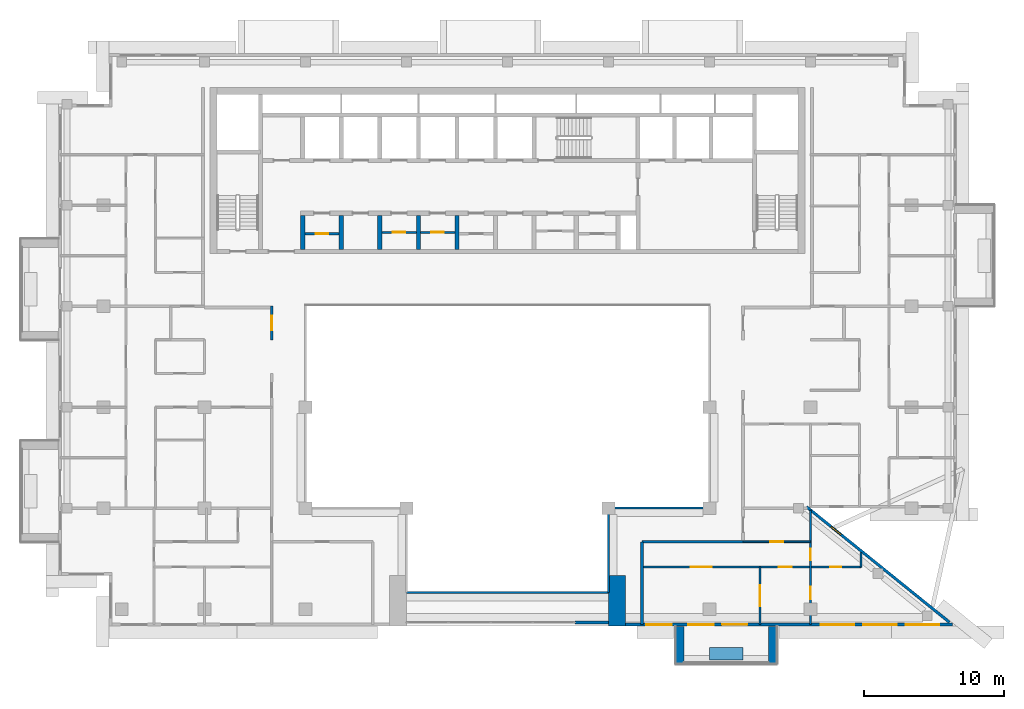
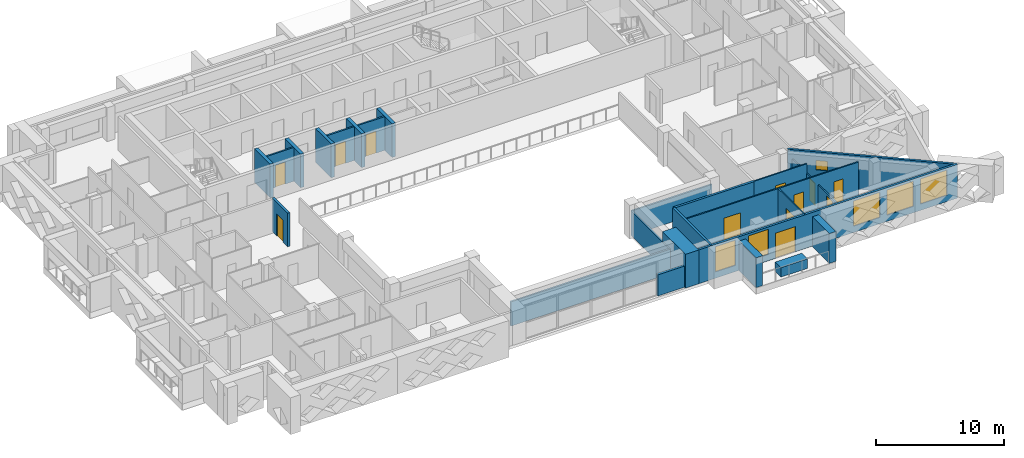
# One storey, part 8 of 19: 26 walls, 12 doors, 6 windows, 18 openings.
"""IFC4 building model written with IfcOpenShell, lengths in metres."""

from ifc_helpers import new_model, si_unit, direction, frame, frame_2d, origin, place, context, subcontext, project, spatial, rectangle, extrude, material, layer, layer_set, type_object, element, fill, save


model = new_model("IFC4")

# Units and contexts
model_context = context("Model", 3, precision=1e-05, world=origin(), true_north=direction((0.0, 1.0)))
body_context = subcontext(model_context, "Body", "Model", "MODEL_VIEW")
ifc_project = project(units=[si_unit("LENGTHUNIT", "METRE"), si_unit("AREAUNIT", "SQUARE_METRE"), si_unit("VOLUMEUNIT", "CUBIC_METRE"), si_unit("PLANEANGLEUNIT", "RADIAN"), si_unit("MASSUNIT", "GRAM", prefix="KILO")], contexts=[model_context])

# Site, building, storey
site_placement = place(None, origin())
site = spatial("IfcSite", under=ifc_project, at=site_placement, CompositionType="ELEMENT")
building_placement = place(site_placement, origin())
building = spatial("IfcBuilding", under=site, at=building_placement, Name="Saffron Iwan Residences", CompositionType="ELEMENT")
storey_placement = place(building_placement, frame((0.0, 0.0, 229.0)))
storey = spatial("IfcBuildingStorey", under=building, at=storey_placement, Name="L61", CompositionType="ELEMENT", Elevation=229.0)

# Walls
ifc_material_1 = material(Name="Fire-rated glazing", Category="glass")
ifc_layer_1 = layer(ifc_material_1, 0.14990234375)
ifc_layer_set_1 = layer_set([ifc_layer_1], Name="Fire-rated glazing")
wall_type_1 = type_object("IfcWallType", Name="Atrium glazed screen 150", PredefinedType="SOLIDWALL", material=ifc_layer_set_1)
wall_1_placement = place(storey_placement, frame((43.199951171875, 42.0, 0.0), z_axis=(0.0, 0.0, 1.0), x_axis=(1.0, 0.0, 0.0)))
element("IfcWall", 1, at=wall_1_placement, inside=storey, type_object=wall_type_1, Name="W-L61-SCREEN-h42-43.2", PredefinedType="SOLIDWALL", context=body_context, shape_type="SweptSolid", body=[
    extrude(rectangle(XDim=14.400146484375, YDim=0.14990234375, at=frame_2d((7.2001953125, 0.0))), origin(), (0.0, 0.0, 1.0), 2.320068359375),
])
wall_2_placement = place(storey_placement, frame((57.60009765625, 48.0, 0.0), z_axis=(0.0, 0.0, 1.0), x_axis=(1.0, 0.0, 0.0)))
element("IfcWall", 2, at=wall_2_placement, inside=storey, type_object=wall_type_1, Name="W-L61-SCREEN-h48-57.6", PredefinedType="SOLIDWALL", context=body_context, shape_type="SweptSolid", body=[
    extrude(rectangle(XDim=7.199951171875, YDim=0.14990234375, at=frame_2d((3.60009765625, 0.0))), origin(), (0.0, 0.0, 1.0), 2.320068359375),
])
wall_3_placement = place(storey_placement, frame((57.60009765625, 42.0, 0.0), z_axis=(0.0, 0.0, 1.0), x_axis=(0.0, 1.0, 0.0)))
element("IfcWall", 3, at=wall_3_placement, inside=storey, type_object=wall_type_1, Name="W-L61-SCREEN-v57.6-42", PredefinedType="SOLIDWALL", context=body_context, shape_type="SweptSolid", body=[
    extrude(rectangle(XDim=6.0, YDim=0.14990234375, at=frame_2d((3.0, 0.0))), origin(), (0.0, 0.0, 1.0), 2.320068359375),
])
ifc_material_2 = material(Name="Concrete C50/60 white painted", Category="concrete")
ifc_layer_2 = layer(ifc_material_2, 0.60009765625)
ifc_layer_set_2 = layer_set([ifc_layer_2], Name="Concrete C50/60 white painted")
wall_type_2 = type_object("IfcWallType", Name="BALCONY FIN 600", PredefinedType="SOLIDWALL", material=ifc_layer_set_2)
for number, where, z_axis, x_axis, name in (
    (4, (62.699951171875, 39.550048828125, 0.0), (0.0, 0.0, 1.0), (0.0, -1.0, 0.0), "Balcony fin L61 11-1a"),
    (5, (69.300048828125, 39.550048828125, 0.0), (0.0, 0.0, 1.0), (0.0, -1.0, 0.0), "Balcony fin L61 11-1b"),
):
    element("IfcWall", number, at=place(storey_placement, frame(where, z_axis=z_axis, x_axis=x_axis)), inside=storey, type_object=wall_type_2, Name=name, PredefinedType="SOLIDWALL", context=body_context, shape_type="SweptSolid", body=[
        extrude(rectangle(XDim=2.650146484375, YDim=0.60009765625, at=frame_2d((1.3251953125, 0.0))), origin(), (0.0, 0.0, 1.0), 2.85009765625),
    ])
ifc_material_3 = material(Name="Concrete C35/45 white painted", Category="concrete")
ifc_layer_3 = layer(ifc_material_3, 0.14990234375)
ifc_layer_set_3 = layer_set([ifc_layer_3], Name="Concrete C35/45 white painted")
wall_type_3 = type_object("IfcWallType", Name="BALCONY PLANTER", PredefinedType="SOLIDWALL", material=ifc_layer_set_3)
wall_4_placement = place(storey_placement, frame((64.800048828125, 37.625, 0.0), z_axis=(0.0, 0.0, 1.0), x_axis=(1.0, 0.0, 0.0)))
element("IfcWall", 6, at=wall_4_placement, inside=storey, type_object=wall_type_3, Name="PLANTER L61 11-1", PredefinedType="SOLIDWALL", context=body_context, shape_type="SweptSolid", body=[
    extrude(rectangle(XDim=2.39990234375, YDim=0.89990234375, at=frame_2d((1.199951171875, 0.0))), origin(), (0.0, 0.0, 1.0), 0.89990234375),
])

# Wall, opening, door
ifc_material_4 = material(Name="Fire-rated plasterboard partition")
ifc_layer_4 = layer(ifc_material_4, 0.14990234375)
ifc_layer_set_4 = layer_set([ifc_layer_4], Name="Fire-rated plasterboard partition")
wall_type_4 = type_object("IfcWallType", Name="Core partition 150", PredefinedType="PARTITIONING", material=ifc_layer_set_4)
wall_5_placement = place(storey_placement, frame((35.949951171875, 67.5654296875, 0.0), z_axis=(0.0, 0.0, 1.0), x_axis=(1.0, 0.0, 0.0)))
wall_5 = element("IfcWall", 7, at=wall_5_placement, inside=storey, type_object=wall_type_4, Name="Core partition P01", PredefinedType="PARTITIONING", context=body_context, shape_type="SweptSolid", body=[
    extrude(rectangle(XDim=2.449951171875, YDim=0.14990234375, at=frame_2d((1.22509765625, 0.0))), origin(), (0.0, 0.0, 1.0), 3.219970703125),
])
opening_1_placement = place(wall_5_placement, frame((0.77490234375, 0.0, 0.0)))
opening_1 = element("IfcOpeningElement", 8, at=opening_1_placement, cuts=wall_5, Name="Opening SB", PredefinedType="OPENING", context=body_context, shape_type="SweptSolid", body=[
    extrude(rectangle(XDim=0.89990234375, YDim=2.10009765625, at=frame_2d((0.449951171875, 1.050048828125))), frame((0.0, 0.0849609375, 0.0), z_axis=(0.0, -1.0, 0.0), x_axis=(1.0, 0.0, 0.0)), (0.0, 0.0, 1.0), 0.169921875),
])
ifc_material_5 = material(Name="Steel fire door", Category="steel")
door_type_1 = type_object("IfcDoorType", Name="Store door 900", OperationType="NOTDEFINED", PredefinedType="DOOR", material=ifc_material_5)
door_1_placement = place(opening_1_placement, origin())
door_1 = element("IfcDoor", 9, at=door_1_placement, inside=storey, type_object=door_type_1, Name="Door Records store", OperationType="SINGLE_SWING_RIGHT", OverallHeight=2.10009765625, OverallWidth=0.89990234375, PredefinedType="DOOR", context=body_context, shape_type="SweptSolid", body=[
    extrude(rectangle(XDim=0.89990234375, YDim=2.10009765625, at=frame_2d((0.449951171875, 1.050048828125))), frame((0.0, 0.02490234375, 0.0), z_axis=(0.0, -1.0, 0.0), x_axis=(1.0, 0.0, 0.0)), (0.0, 0.0, 1.0), 0.050048828125),
])
fill(opening_1, door_1)

wall_6_placement = place(storey_placement, frame((41.449951171875, 67.66259765625, 0.0), z_axis=(0.0, 0.0, 1.0), x_axis=(1.0, 0.0, 0.0)))
wall_6 = element("IfcWall", 10, at=wall_6_placement, inside=storey, type_object=wall_type_4, Name="Core partition P02", PredefinedType="PARTITIONING", context=body_context, shape_type="SweptSolid", body=[
    extrude(rectangle(XDim=2.449951171875, YDim=0.14990234375, at=frame_2d((1.22509765625, 0.0))), origin(), (0.0, 0.0, 1.0), 3.219970703125),
])
opening_2_placement = place(wall_6_placement, frame((0.77490234375, 0.0, 0.0)))
opening_2 = element("IfcOpeningElement", 11, at=opening_2_placement, cuts=wall_6, Name="Opening SB", PredefinedType="OPENING", context=body_context, shape_type="SweptSolid", body=[
    extrude(rectangle(XDim=0.89990234375, YDim=2.10009765625, at=frame_2d((0.449951171875, 1.050048828125))), frame((0.0, 0.0849609375, 0.0), z_axis=(0.0, -1.0, 0.0), x_axis=(1.0, 0.0, 0.0)), (0.0, 0.0, 1.0), 0.169921875),
])
door_2_placement = place(opening_2_placement, origin())
door_2 = element("IfcDoor", 12, at=door_2_placement, inside=storey, type_object=door_type_1, Name="Door Tool store", OperationType="SINGLE_SWING_RIGHT", OverallHeight=2.10009765625, OverallWidth=0.89990234375, PredefinedType="DOOR", context=body_context, shape_type="SweptSolid", body=[
    extrude(rectangle(XDim=0.89990234375, YDim=2.10009765625, at=frame_2d((0.449951171875, 1.050048828125))), frame((0.0, 0.02490234375, 0.0), z_axis=(0.0, -1.0, 0.0), x_axis=(1.0, 0.0, 0.0)), (0.0, 0.0, 1.0), 0.050048828125),
])
fill(opening_2, door_2)

wall_7_placement = place(storey_placement, frame((44.199951171875, 67.66259765625, 0.0), z_axis=(0.0, 0.0, 1.0), x_axis=(1.0, 0.0, 0.0)))
wall_7 = element("IfcWall", 13, at=wall_7_placement, inside=storey, type_object=wall_type_4, Name="Core partition P03", PredefinedType="PARTITIONING", context=body_context, shape_type="SweptSolid", body=[
    extrude(rectangle(XDim=2.449951171875, YDim=0.14990234375, at=frame_2d((1.22509765625, 0.0))), origin(), (0.0, 0.0, 1.0), 3.219970703125),
])
opening_3_placement = place(wall_7_placement, frame((0.77490234375, 0.0, 0.0)))
opening_3 = element("IfcOpeningElement", 14, at=opening_3_placement, cuts=wall_7, Name="Opening SB", PredefinedType="OPENING", context=body_context, shape_type="SweptSolid", body=[
    extrude(rectangle(XDim=0.89990234375, YDim=2.10009765625, at=frame_2d((0.449951171875, 1.050048828125))), frame((0.0, 0.0849609375, 0.0), z_axis=(0.0, -1.0, 0.0), x_axis=(1.0, 0.0, 0.0)), (0.0, 0.0, 1.0), 0.169921875),
])
door_3_placement = place(opening_3_placement, origin())
door_3 = element("IfcDoor", 15, at=door_3_placement, inside=storey, type_object=door_type_1, Name="Door Cabling room", OperationType="SINGLE_SWING_LEFT", OverallHeight=2.10009765625, OverallWidth=0.89990234375, PredefinedType="DOOR", context=body_context, shape_type="SweptSolid", body=[
    extrude(rectangle(XDim=0.89990234375, YDim=2.10009765625, at=frame_2d((0.449951171875, 1.050048828125))), frame((0.0, 0.02490234375, 0.0), z_axis=(0.0, -1.0, 0.0), x_axis=(1.0, 0.0, 0.0)), (0.0, 0.0, 1.0), 0.050048828125),
])
fill(opening_3, door_3)

# Wall, opening, window
ifc_material_6 = material(Name="Concrete C40/50", Category="concrete")
ifc_layer_5 = layer(ifc_material_6, 0.199951171875)
ifc_layer_set_5 = layer_set([ifc_layer_5], Name="Concrete C40/50")
wall_type_5 = type_object("IfcWallType", Name="EXTERNAL WALL 200", PredefinedType="SOLIDWALL", material=ifc_layer_set_5)
wall_8_placement = place(storey_placement, frame((81.906982421875, 39.86962890625, 0.0), z_axis=(0.0, 0.0, 1.0), x_axis=(-0.777936274417, 0.62834318087, 0.0)))
wall_8 = element("IfcWall", 16, at=wall_8_placement, inside=storey, type_object=wall_type_5, Name="External wall L61 F0.0", PredefinedType="SOLIDWALL", context=body_context, shape_type="SweptSolid", body=[
    extrude(rectangle(XDim=13.0986328125, YDim=0.199951171875, at=frame_2d((6.54931640625, 0.0))), origin(), (0.0, 0.0, 1.0), 3.219970703125),
])
opening_4_placement = place(wall_8_placement, frame((9.9384765625, 0.0, 1.5)))
opening_4 = element("IfcOpeningElement", 17, at=opening_4_placement, cuts=wall_8, Name="Opening W6", PredefinedType="OPENING", context=body_context, shape_type="SweptSolid", body=[
    extrude(rectangle(XDim=0.89990234375, YDim=0.89990234375, at=frame_2d((0.449951171875, 0.449951171875))), frame((0.0, 0.10986328125, 0.0), z_axis=(0.0, -1.0, 0.0), x_axis=(1.0, 0.0, 0.0)), (0.0, 0.0, 1.0), 0.219970703125),
])
ifc_material_7 = material(Name="Clear glass, laminated double glazed", Category="glass")
window_type_1 = type_object("IfcWindowType", Name="WINDOW 900 x 900 BATH", PartitioningType="SINGLE_PANEL", PredefinedType="WINDOW", material=ifc_material_7)
window_1_placement = place(opening_4_placement, origin())
window_1 = element("IfcWindow", 18, at=window_1_placement, inside=storey, type_object=window_type_1, Name="Window L61 F0.0", OverallHeight=0.89990234375, OverallWidth=0.89990234375, PartitioningType="SINGLE_PANEL", PredefinedType="WINDOW", context=body_context, shape_type="SweptSolid", body=[
    extrude(rectangle(XDim=0.89990234375, YDim=0.89990234375, at=frame_2d((0.449951171875, 0.449951171875))), frame((0.0, 0.030029296875, 0.0), z_axis=(0.0, -1.0, 0.0), x_axis=(1.0, 0.0, 0.0)), (0.0, 0.0, 1.0), 0.06005859375),
])
fill(opening_4, window_1)

# Wall, openings, door, windows
wall_9_placement = place(storey_placement, frame((58.800048828125, 39.699951171875, 0.0), z_axis=(0.0, 0.0, 1.0), x_axis=(1.0, 0.0, 0.0)))
wall_9 = element("IfcWall", 19, at=wall_9_placement, inside=storey, type_object=wall_type_5, Name="External wall L61 F11.1", PredefinedType="SOLIDWALL", context=body_context, shape_type="SweptSolid", body=[
    extrude(rectangle(XDim=23.31689453125, YDim=0.199951171875, at=frame_2d((11.658447265625, 0.0))), origin(), (0.0, 0.0, 1.0), 3.219970703125),
])
opening_5_placement = place(wall_9_placement, frame((6.89990234375, 0.0, 0.0)))
opening_5 = element("IfcOpeningElement", 20, at=opening_5_placement, cuts=wall_9, Name="Opening BD1", PredefinedType="OPENING", context=body_context, shape_type="SweptSolid", body=[
    extrude(rectangle(XDim=1.800048828125, YDim=2.39990234375, at=frame_2d((0.89990234375, 1.199951171875))), frame((0.0, 0.10986328125, 0.0), z_axis=(0.0, -1.0, 0.0), x_axis=(1.0, 0.0, 0.0)), (0.0, 0.0, 1.0), 0.219970703125),
])
opening_6_placement = place(wall_9_placement, frame((1.5, 0.0, 0.60009765625)))
opening_6 = element("IfcOpeningElement", 21, at=opening_6_placement, cuts=wall_9, Name="Opening W8", PredefinedType="OPENING", context=body_context, shape_type="SweptSolid", body=[
    extrude(rectangle(XDim=1.800048828125, YDim=2.39990234375, at=frame_2d((0.89990234375, 1.199951171875))), frame((0.0, 0.10986328125, 0.0), z_axis=(0.0, -1.0, 0.0), x_axis=(1.0, 0.0, 0.0)), (0.0, 0.0, 1.0), 0.219970703125),
])
opening_7_placement = place(wall_9_placement, frame((4.5, 0.0, 0.60009765625)))
opening_7 = element("IfcOpeningElement", 22, at=opening_7_placement, cuts=wall_9, Name="Opening W8", PredefinedType="OPENING", context=body_context, shape_type="SweptSolid", body=[
    extrude(rectangle(XDim=1.800048828125, YDim=2.39990234375, at=frame_2d((0.89990234375, 1.199951171875))), frame((0.0, 0.10986328125, 0.0), z_axis=(0.0, -1.0, 0.0), x_axis=(1.0, 0.0, 0.0)), (0.0, 0.0, 1.0), 0.219970703125),
])
opening_8_placement = place(wall_9_placement, frame((13.92919921875, 0.0, 0.60009765625)))
opening_8 = element("IfcOpeningElement", 23, at=opening_8_placement, cuts=wall_9, Name="Opening W1", PredefinedType="OPENING", context=body_context, shape_type="SweptSolid", body=[
    extrude(rectangle(XDim=2.39990234375, YDim=2.39990234375, at=frame_2d((1.199951171875, 1.199951171875))), frame((0.0, 0.10986328125, 0.0), z_axis=(0.0, -1.0, 0.0), x_axis=(1.0, 0.0, 0.0)), (0.0, 0.0, 1.0), 0.219970703125),
])
opening_9_placement = place(wall_9_placement, frame((16.95849609375, 0.0, 0.60009765625)))
opening_9 = element("IfcOpeningElement", 24, at=opening_9_placement, cuts=wall_9, Name="Opening W1", PredefinedType="OPENING", context=body_context, shape_type="SweptSolid", body=[
    extrude(rectangle(XDim=2.39990234375, YDim=2.39990234375, at=frame_2d((1.199951171875, 1.199951171875))), frame((0.0, 0.10986328125, 0.0), z_axis=(0.0, -1.0, 0.0), x_axis=(1.0, 0.0, 0.0)), (0.0, 0.0, 1.0), 0.219970703125),
])
opening_10_placement = place(wall_9_placement, frame((19.98779296875, 0.0, 0.60009765625)))
opening_10 = element("IfcOpeningElement", 25, at=opening_10_placement, cuts=wall_9, Name="Opening W1", PredefinedType="OPENING", context=body_context, shape_type="SweptSolid", body=[
    extrude(rectangle(XDim=2.39990234375, YDim=2.39990234375, at=frame_2d((1.199951171875, 1.199951171875))), frame((0.0, 0.10986328125, 0.0), z_axis=(0.0, -1.0, 0.0), x_axis=(1.0, 0.0, 0.0)), (0.0, 0.0, 1.0), 0.219970703125),
])
door_type_2 = type_object("IfcDoorType", Name="BALCONY DOOR 1800 x 2400", OperationType="DOUBLE_DOOR_SLIDING", PredefinedType="DOOR", material=ifc_material_7)
door_4_placement = place(opening_5_placement, origin())
door_4 = element("IfcDoor", 26, at=door_4_placement, inside=storey, type_object=door_type_2, Name="Balcony door L61 F11.0", OperationType="DOUBLE_DOOR_SLIDING", OverallHeight=2.39990234375, OverallWidth=1.800048828125, PredefinedType="DOOR", context=body_context, shape_type="SweptSolid", body=[
    extrude(rectangle(XDim=1.800048828125, YDim=2.39990234375, at=frame_2d((0.89990234375, 1.199951171875))), frame((0.0, 0.02490234375, 0.0), z_axis=(0.0, -1.0, 0.0), x_axis=(1.0, 0.0, 0.0)), (0.0, 0.0, 1.0), 0.050048828125),
])
fill(opening_5, door_4)
window_type_2 = type_object("IfcWindowType", Name="WINDOW 1800 x 2400", PartitioningType="DOUBLE_PANEL_VERTICAL", PredefinedType="WINDOW", material=ifc_material_7)
window_2_placement = place(opening_6_placement, origin())
window_2 = element("IfcWindow", 27, at=window_2_placement, inside=storey, type_object=window_type_2, Name="Window L61 F11.1", OverallHeight=2.39990234375, OverallWidth=1.800048828125, PartitioningType="DOUBLE_PANEL_VERTICAL", PredefinedType="WINDOW", context=body_context, shape_type="SweptSolid", body=[
    extrude(rectangle(XDim=1.800048828125, YDim=2.39990234375, at=frame_2d((0.89990234375, 1.199951171875))), frame((0.0, 0.030029296875, 0.0), z_axis=(0.0, -1.0, 0.0), x_axis=(1.0, 0.0, 0.0)), (0.0, 0.0, 1.0), 0.06005859375),
])
fill(opening_6, window_2)
window_3_placement = place(opening_7_placement, origin())
window_3 = element("IfcWindow", 28, at=window_3_placement, inside=storey, type_object=window_type_2, Name="Window L61 F11.2", OverallHeight=2.39990234375, OverallWidth=1.800048828125, PartitioningType="DOUBLE_PANEL_VERTICAL", PredefinedType="WINDOW", context=body_context, shape_type="SweptSolid", body=[
    extrude(rectangle(XDim=1.800048828125, YDim=2.39990234375, at=frame_2d((0.89990234375, 1.199951171875))), frame((0.0, 0.030029296875, 0.0), z_axis=(0.0, -1.0, 0.0), x_axis=(1.0, 0.0, 0.0)), (0.0, 0.0, 1.0), 0.06005859375),
])
fill(opening_7, window_3)
window_type_3 = type_object("IfcWindowType", Name="WINDOW 2400 x 2400", PartitioningType="DOUBLE_PANEL_VERTICAL", PredefinedType="WINDOW", material=ifc_material_7)
window_4_placement = place(opening_8_placement, origin())
window_4 = element("IfcWindow", 29, at=window_4_placement, inside=storey, type_object=window_type_3, Name="Window L61 F11.3", OverallHeight=2.39990234375, OverallWidth=2.39990234375, PartitioningType="DOUBLE_PANEL_VERTICAL", PredefinedType="WINDOW", context=body_context, shape_type="SweptSolid", body=[
    extrude(rectangle(XDim=2.39990234375, YDim=2.39990234375, at=frame_2d((1.199951171875, 1.199951171875))), frame((0.0, 0.030029296875, 0.0), z_axis=(0.0, -1.0, 0.0), x_axis=(1.0, 0.0, 0.0)), (0.0, 0.0, 1.0), 0.06005859375),
])
fill(opening_8, window_4)
window_5_placement = place(opening_9_placement, origin())
window_5 = element("IfcWindow", 30, at=window_5_placement, inside=storey, type_object=window_type_3, Name="Window L61 F11.4", OverallHeight=2.39990234375, OverallWidth=2.39990234375, PartitioningType="DOUBLE_PANEL_VERTICAL", PredefinedType="WINDOW", context=body_context, shape_type="SweptSolid", body=[
    extrude(rectangle(XDim=2.39990234375, YDim=2.39990234375, at=frame_2d((1.199951171875, 1.199951171875))), frame((0.0, 0.030029296875, 0.0), z_axis=(0.0, -1.0, 0.0), x_axis=(1.0, 0.0, 0.0)), (0.0, 0.0, 1.0), 0.06005859375),
])
fill(opening_9, window_5)
window_6_placement = place(opening_10_placement, origin())
window_6 = element("IfcWindow", 31, at=window_6_placement, inside=storey, type_object=window_type_3, Name="Window L61 F11.5", OverallHeight=2.39990234375, OverallWidth=2.39990234375, PartitioningType="DOUBLE_PANEL_VERTICAL", PredefinedType="WINDOW", context=body_context, shape_type="SweptSolid", body=[
    extrude(rectangle(XDim=2.39990234375, YDim=2.39990234375, at=frame_2d((1.199951171875, 1.199951171875))), frame((0.0, 0.030029296875, 0.0), z_axis=(0.0, -1.0, 0.0), x_axis=(1.0, 0.0, 0.0)), (0.0, 0.0, 1.0), 0.06005859375),
])
fill(opening_10, window_6)

# Wall
wall_10_placement = place(storey_placement, frame((55.199951171875, 39.85009765625, 0.0), z_axis=(0.0, 0.0, 1.0), x_axis=(1.0, 0.0, 0.0)))
element("IfcWall", 32, at=wall_10_placement, inside=storey, type_object=wall_type_5, Name="External wall infill CWB-L61-0", PredefinedType="SOLIDWALL", context=body_context, shape_type="SweptSolid", body=[
    extrude(rectangle(XDim=2.400146484375, YDim=0.199951171875, at=frame_2d((1.2001953125, 0.0))), origin(), (0.0, 0.0, 1.0), 2.02001953125),
])

# Wall, openings, doors
ifc_material_8 = material(Name="Gypsum board partition")
ifc_layer_6 = layer(ifc_material_8, 0.1201171875)
ifc_layer_set_6 = layer_set([ifc_layer_6], Name="Gypsum board partition")
wall_type_6 = type_object("IfcWallType", Name="Flat partition 120", PredefinedType="PARTITIONING", material=ifc_layer_set_6)
wall_11_placement = place(storey_placement, frame((60.0, 43.800048828125, 0.0), z_axis=(0.0, 0.0, 1.0), x_axis=(1.0, 0.0, 0.0)))
wall_11 = element("IfcWall", 33, at=wall_11_placement, inside=storey, type_object=wall_type_6, Name="W-L61-PART-h43.8-60", PredefinedType="PARTITIONING", context=body_context, shape_type="SweptSolid", body=[
    extrude(rectangle(XDim=15.60009765625, YDim=0.1201171875, at=frame_2d((7.800048828125, 0.0))), origin(), (0.0, 0.0, 1.0), 3.219970703125),
])
opening_11_placement = place(wall_11_placement, frame((9.75, 0.0, 0.0)))
opening_11 = element("IfcOpeningElement", 34, at=opening_11_placement, cuts=wall_11, Name="Opening FD2", PredefinedType="OPENING", context=body_context, shape_type="SweptSolid", body=[
    extrude(rectangle(XDim=0.89990234375, YDim=2.10009765625, at=frame_2d((0.449951171875, 1.050048828125))), frame((0.0, 0.070068359375, 0.0), z_axis=(0.0, -1.0, 0.0), x_axis=(1.0, 0.0, 0.0)), (0.0, 0.0, 1.0), 0.14013671875),
])
opening_12_placement = place(wall_11_placement, frame((3.449951171875, 0.0, 0.0)))
opening_12 = element("IfcOpeningElement", 35, at=opening_12_placement, cuts=wall_11, Name="Opening FD4", PredefinedType="OPENING", context=body_context, shape_type="SweptSolid", body=[
    extrude(rectangle(XDim=1.5, YDim=2.10009765625, at=frame_2d((0.75, 1.050048828125))), frame((0.0, 0.070068359375, 0.0), z_axis=(0.0, -1.0, 0.0), x_axis=(1.0, 0.0, 0.0)), (0.0, 0.0, 1.0), 0.14013671875),
])
opening_13_placement = place(wall_11_placement, frame((13.39990234375, 0.0, 0.0)))
opening_13 = element("IfcOpeningElement", 36, at=opening_13_placement, cuts=wall_11, Name="Opening FD3", PredefinedType="OPENING", context=body_context, shape_type="SweptSolid", body=[
    extrude(rectangle(XDim=0.800048828125, YDim=2.10009765625, at=frame_2d((0.39990234375, 1.050048828125))), frame((0.0, 0.070068359375, 0.0), z_axis=(0.0, -1.0, 0.0), x_axis=(1.0, 0.0, 0.0)), (0.0, 0.0, 1.0), 0.14013671875),
])
ifc_material_9 = material(Name="Timber door", Category="wood")
door_type_3 = type_object("IfcDoorType", Name="Bathroom door 800", OperationType="NOTDEFINED", PredefinedType="DOOR", material=ifc_material_9)
door_5_placement = place(opening_13_placement, origin())
door_5 = element("IfcDoor", 37, at=door_5_placement, inside=storey, type_object=door_type_3, Name="Door L61-047", OperationType="SINGLE_SWING_LEFT", OverallHeight=2.10009765625, OverallWidth=0.800048828125, PredefinedType="DOOR", context=body_context, shape_type="SweptSolid", body=[
    extrude(rectangle(XDim=0.800048828125, YDim=2.10009765625, at=frame_2d((0.39990234375, 1.050048828125))), frame((0.0, 0.02490234375, 0.0), z_axis=(0.0, -1.0, 0.0), x_axis=(1.0, 0.0, 0.0)), (0.0, 0.0, 1.0), 0.050048828125),
])
fill(opening_13, door_5)
door_type_4 = type_object("IfcDoorType", Name="Double door 1500", OperationType="NOTDEFINED", PredefinedType="DOOR", material=ifc_material_9)
door_6_placement = place(opening_12_placement, origin())
door_6 = element("IfcDoor", 38, at=door_6_placement, inside=storey, type_object=door_type_4, Name="Door L61-044", OperationType="SINGLE_SWING_LEFT", OverallHeight=2.10009765625, OverallWidth=1.5, PredefinedType="DOOR", context=body_context, shape_type="SweptSolid", body=[
    extrude(rectangle(XDim=1.5, YDim=2.10009765625, at=frame_2d((0.75, 1.050048828125))), frame((0.0, 0.02490234375, 0.0), z_axis=(0.0, -1.0, 0.0), x_axis=(1.0, 0.0, 0.0)), (0.0, 0.0, 1.0), 0.050048828125),
])
fill(opening_12, door_6)
door_type_5 = type_object("IfcDoorType", Name="Flat door 900", OperationType="NOTDEFINED", PredefinedType="DOOR", material=ifc_material_9)
door_7_placement = place(opening_11_placement, origin())
door_7 = element("IfcDoor", 39, at=door_7_placement, inside=storey, type_object=door_type_5, Name="Door L61-043", OperationType="SINGLE_SWING_LEFT", OverallHeight=2.10009765625, OverallWidth=0.89990234375, PredefinedType="DOOR", context=body_context, shape_type="SweptSolid", body=[
    extrude(rectangle(XDim=0.89990234375, YDim=2.10009765625, at=frame_2d((0.449951171875, 1.050048828125))), frame((0.0, 0.02490234375, 0.0), z_axis=(0.0, -1.0, 0.0), x_axis=(1.0, 0.0, 0.0)), (0.0, 0.0, 1.0), 0.050048828125),
])
fill(opening_11, door_7)

# Wall, opening, door
wall_12_placement = place(storey_placement, frame((67.199951171875, 45.60009765625, 0.0), z_axis=(0.0, 0.0, 1.0), x_axis=(1.0, 0.0, 0.0)))
wall_12 = element("IfcWall", 40, at=wall_12_placement, inside=storey, type_object=wall_type_6, Name="W-L61-PART-h45.6-67.2", PredefinedType="PARTITIONING", context=body_context, shape_type="SweptSolid", body=[
    extrude(rectangle(XDim=4.800048828125, YDim=0.1201171875, at=frame_2d((2.39990234375, 0.0))), origin(), (0.0, 0.0, 1.0), 3.219970703125),
])
opening_14_placement = place(wall_12_placement, frame((1.949951171875, 0.0, 0.0)))
opening_14 = element("IfcOpeningElement", 41, at=opening_14_placement, cuts=wall_12, Name="Opening FD2", PredefinedType="OPENING", context=body_context, shape_type="SweptSolid", body=[
    extrude(rectangle(XDim=0.89990234375, YDim=2.10009765625, at=frame_2d((0.449951171875, 1.050048828125))), frame((0.0, 0.070068359375, 0.0), z_axis=(0.0, -1.0, 0.0), x_axis=(1.0, 0.0, 0.0)), (0.0, 0.0, 1.0), 0.14013671875),
])
door_8_placement = place(opening_14_placement, origin())
door_8 = element("IfcDoor", 42, at=door_8_placement, inside=storey, type_object=door_type_5, Name="Door L61-041", OperationType="SINGLE_SWING_LEFT", OverallHeight=2.10009765625, OverallWidth=0.89990234375, PredefinedType="DOOR", context=body_context, shape_type="SweptSolid", body=[
    extrude(rectangle(XDim=0.89990234375, YDim=2.10009765625, at=frame_2d((0.449951171875, 1.050048828125))), frame((0.0, 0.02490234375, 0.0), z_axis=(0.0, -1.0, 0.0), x_axis=(1.0, 0.0, 0.0)), (0.0, 0.0, 1.0), 0.050048828125),
])
fill(opening_14, door_8)

wall_13_placement = place(storey_placement, frame((68.39990234375, 39.72509765625, 0.0), z_axis=(0.0, 0.0, 1.0), x_axis=(0.0, 1.0, 0.0)))
wall_13 = element("IfcWall", 43, at=wall_13_placement, inside=storey, type_object=wall_type_6, Name="W-L61-PART-v68.4-39.725", PredefinedType="PARTITIONING", context=body_context, shape_type="SweptSolid", body=[
    extrude(rectangle(XDim=4.074951171875, YDim=0.1201171875, at=frame_2d((2.03759765625, 0.0))), origin(), (0.0, 0.0, 1.0), 3.219970703125),
])
opening_15_placement = place(wall_13_placement, frame((1.28759765625, 0.0, 0.0)))
opening_15 = element("IfcOpeningElement", 44, at=opening_15_placement, cuts=wall_13, Name="Opening FD4", PredefinedType="OPENING", context=body_context, shape_type="SweptSolid", body=[
    extrude(rectangle(XDim=1.5, YDim=2.10009765625, at=frame_2d((0.75, 1.050048828125))), frame((0.0, 0.070068359375, 0.0), z_axis=(0.0, -1.0, 0.0), x_axis=(1.0, 0.0, 0.0)), (0.0, 0.0, 1.0), 0.14013671875),
])
door_9_placement = place(opening_15_placement, origin())
door_9 = element("IfcDoor", 45, at=door_9_placement, inside=storey, type_object=door_type_4, Name="Door L61-040", OperationType="SINGLE_SWING_LEFT", OverallHeight=2.10009765625, OverallWidth=1.5, PredefinedType="DOOR", context=body_context, shape_type="SweptSolid", body=[
    extrude(rectangle(XDim=1.5, YDim=2.10009765625, at=frame_2d((0.75, 1.050048828125))), frame((0.0, 0.02490234375, 0.0), z_axis=(0.0, -1.0, 0.0), x_axis=(1.0, 0.0, 0.0)), (0.0, 0.0, 1.0), 0.050048828125),
])
fill(opening_15, door_9)

# Wall, openings, doors
wall_14_placement = place(storey_placement, frame((72.0, 39.72509765625, 0.0), z_axis=(0.0, 0.0, 1.0), x_axis=(0.0, 1.0, 0.0)))
wall_14 = element("IfcWall", 46, at=wall_14_placement, inside=storey, type_object=wall_type_6, Name="W-L61-PART-v72-39.725", PredefinedType="PARTITIONING", context=body_context, shape_type="SweptSolid", body=[
    extrude(rectangle(XDim=8.114013671875, YDim=0.1201171875, at=frame_2d((4.05712890625, 0.0))), origin(), (0.0, 0.0, 1.0), 2.320068359375),
])
opening_16_placement = place(wall_14_placement, frame((1.78759765625, 0.0, 0.0)))
opening_16 = element("IfcOpeningElement", 47, at=opening_16_placement, cuts=wall_14, Name="Opening FD2", PredefinedType="OPENING", context=body_context, shape_type="SweptSolid", body=[
    extrude(rectangle(XDim=0.89990234375, YDim=2.10009765625, at=frame_2d((0.449951171875, 1.050048828125))), frame((0.0, 0.070068359375, 0.0), z_axis=(0.0, -1.0, 0.0), x_axis=(1.0, 0.0, 0.0)), (0.0, 0.0, 1.0), 0.14013671875),
])
opening_17_placement = place(wall_14_placement, frame((4.574951171875, 0.0, 0.0)))
opening_17 = element("IfcOpeningElement", 48, at=opening_17_placement, cuts=wall_14, Name="Opening FD3", PredefinedType="OPENING", context=body_context, shape_type="SweptSolid", body=[
    extrude(rectangle(XDim=0.800048828125, YDim=2.10009765625, at=frame_2d((0.39990234375, 1.050048828125))), frame((0.0, 0.070068359375, 0.0), z_axis=(0.0, -1.0, 0.0), x_axis=(1.0, 0.0, 0.0)), (0.0, 0.0, 1.0), 0.14013671875),
])
door_10_placement = place(opening_17_placement, origin())
door_10 = element("IfcDoor", 49, at=door_10_placement, inside=storey, type_object=door_type_3, Name="Door L61-046", OperationType="SINGLE_SWING_LEFT", OverallHeight=2.10009765625, OverallWidth=0.800048828125, PredefinedType="DOOR", context=body_context, shape_type="SweptSolid", body=[
    extrude(rectangle(XDim=0.800048828125, YDim=2.10009765625, at=frame_2d((0.39990234375, 1.050048828125))), frame((0.0, 0.02490234375, 0.0), z_axis=(0.0, -1.0, 0.0), x_axis=(1.0, 0.0, 0.0)), (0.0, 0.0, 1.0), 0.050048828125),
])
fill(opening_17, door_10)
door_11_placement = place(opening_16_placement, origin())
door_11 = element("IfcDoor", 50, at=door_11_placement, inside=storey, type_object=door_type_5, Name="Door L61-045", OperationType="SINGLE_SWING_LEFT", OverallHeight=2.10009765625, OverallWidth=0.89990234375, PredefinedType="DOOR", context=body_context, shape_type="SweptSolid", body=[
    extrude(rectangle(XDim=0.89990234375, YDim=2.10009765625, at=frame_2d((0.449951171875, 1.050048828125))), frame((0.0, 0.02490234375, 0.0), z_axis=(0.0, -1.0, 0.0), x_axis=(1.0, 0.0, 0.0)), (0.0, 0.0, 1.0), 0.050048828125),
])
fill(opening_16, door_11)

# Walls
wall_15_placement = place(storey_placement, frame((75.60009765625, 43.800048828125, 0.0), z_axis=(0.0, 0.0, 1.0), x_axis=(0.0, 1.0, 0.0)))
element("IfcWall", 51, at=wall_15_placement, inside=storey, type_object=wall_type_6, Name="W-L61-PART-v75.6-43.8", PredefinedType="PARTITIONING", context=body_context, shape_type="SweptSolid", body=[
    extrude(rectangle(XDim=1.03515625, YDim=0.1201171875, at=frame_2d((0.517578125, 0.0))), origin(), (0.0, 0.0, 1.0), 2.320068359375),
])
ifc_material_10 = material(Name="Fire-rated gypsum board wall")
ifc_layer_7 = layer(ifc_material_10, 0.199951171875)
ifc_layer_set_7 = layer_set([ifc_layer_7], Name="Fire-rated gypsum board wall")
wall_type_7 = type_object("IfcWallType", Name="Gallery wall 200", PredefinedType="SOLIDWALL", material=ifc_layer_set_7)
wall_16_placement = place(storey_placement, frame((60.0, 45.60009765625, 0.0), z_axis=(0.0, 0.0, 1.0), x_axis=(1.0, 0.0, 0.0)))
element("IfcWall", 52, at=wall_16_placement, inside=storey, type_object=wall_type_7, Name="W-L61-CORR-h45.6-60", PredefinedType="SOLIDWALL", context=body_context, shape_type="SweptSolid", body=[
    extrude(rectangle(XDim=7.199951171875, YDim=0.199951171875, at=frame_2d((3.60009765625, 0.0))), origin(), (0.0, 0.0, 1.0), 3.219970703125),
])

# Wall, opening, door
wall_17_placement = place(storey_placement, frame((33.60009765625, 60.0, 0.0), z_axis=(0.0, 0.0, 1.0), x_axis=(0.0, 1.0, 0.0)))
wall_17 = element("IfcWall", 53, at=wall_17_placement, inside=storey, type_object=wall_type_7, Name="W-L61-CORR-v33.6-60", PredefinedType="SOLIDWALL", context=body_context, shape_type="SweptSolid", body=[
    extrude(rectangle(XDim=2.39990234375, YDim=0.199951171875, at=frame_2d((1.199951171875, 0.0))), origin(), (0.0, 0.0, 1.0), 3.219970703125),
])
opening_18_placement = place(wall_17_placement, frame((0.699951171875, 0.0, 0.0)))
opening_18 = element("IfcOpeningElement", 54, at=opening_18_placement, cuts=wall_17, Name="Opening FD5", PredefinedType="OPENING", context=body_context, shape_type="SweptSolid", body=[
    extrude(rectangle(XDim=1.0, YDim=2.10009765625, at=frame_2d((0.5, 1.050048828125))), frame((0.0, 0.10986328125, 0.0), z_axis=(0.0, -1.0, 0.0), x_axis=(1.0, 0.0, 0.0)), (0.0, 0.0, 1.0), 0.219970703125),
])
ifc_material_11 = material(Name="Fire-rated timber door", Category="wood")
door_type_6 = type_object("IfcDoorType", Name="Lobby door 1000", OperationType="NOTDEFINED", PredefinedType="DOOR", material=ifc_material_11)
door_12_placement = place(opening_18_placement, origin())
door_12 = element("IfcDoor", 55, at=door_12_placement, inside=storey, type_object=door_type_6, Name="Door L61-025", OperationType="SINGLE_SWING_LEFT", OverallHeight=2.10009765625, OverallWidth=1.0, PredefinedType="DOOR", context=body_context, shape_type="SweptSolid", body=[
    extrude(rectangle(XDim=1.0, YDim=2.10009765625, at=frame_2d((0.5, 1.050048828125))), frame((0.0, 0.02490234375, 0.0), z_axis=(0.0, -1.0, 0.0), x_axis=(1.0, 0.0, 0.0)), (0.0, 0.0, 1.0), 0.050048828125),
])
fill(opening_18, door_12)

# Walls
wall_18_placement = place(storey_placement, frame((60.0, 39.72509765625, 0.0), z_axis=(0.0, 0.0, 1.0), x_axis=(0.0, 1.0, 0.0)))
element("IfcWall", 56, at=wall_18_placement, inside=storey, type_object=wall_type_7, Name="W-L61-CORR-v60-39.725", PredefinedType="SOLIDWALL", context=body_context, shape_type="SweptSolid", body=[
    extrude(rectangle(XDim=5.875, YDim=0.199951171875, at=frame_2d((2.9375, 0.0))), origin(), (0.0, 0.0, 1.0), 3.219970703125),
])
ifc_layer_8 = layer(ifc_material_6, 0.300048828125)
ifc_layer_set_8 = layer_set([ifc_layer_8], Name="Concrete C40/50")
wall_type_8 = type_object("IfcWallType", Name="WALL CORE 300 C40/50 3220 HIGH", PredefinedType="SHEAR", material=ifc_layer_set_8)
for number, where, z_axis, x_axis, name in (
    (57, (35.800048828125, 66.449951171875, 0.0), (0.0, 0.0, 1.0), (0.0, 1.0, 0.0), "Core wall"),
    (58, (38.550048828125, 66.449951171875, 0.0), (0.0, 0.0, 1.0), (0.0, 1.0, 0.0), "Core wall"),
    (59, (41.300048828125, 66.449951171875, 0.0), (0.0, 0.0, 1.0), (0.0, 1.0, 0.0), "Core wall"),
    (60, (44.050048828125, 66.449951171875, 0.0), (0.0, 0.0, 1.0), (0.0, 1.0, 0.0), "Core wall"),
    (61, (46.800048828125, 66.449951171875, 0.0), (0.0, 0.0, 1.0), (0.0, 1.0, 0.0), "Core wall"),
):
    element("IfcWall", number, at=place(storey_placement, frame(where, z_axis=z_axis, x_axis=x_axis)), inside=storey, type_object=wall_type_8, Name=name, PredefinedType="SHEAR", context=body_context, shape_type="SweptSolid", body=[
        extrude(rectangle(XDim=2.425048828125, YDim=0.300048828125, at=frame_2d((1.21240234375, 0.0))), origin(), (0.0, 0.0, 1.0), 3.219970703125),
    ])
ifc_layer_9 = layer(ifc_material_6, 1.199951171875)
ifc_layer_set_9 = layer_set([ifc_layer_9], Name="Concrete C40/50")
wall_type_9 = type_object("IfcWallType", Name="WALL IWAN PIER 1200 C40/50 3220 HIGH", PredefinedType="SHEAR", material=ifc_layer_set_9)
wall_19_placement = place(storey_placement, frame((58.199951171875, 39.60009765625, 0.0), z_axis=(0.0, 0.0, 1.0), x_axis=(0.0, 1.0, 0.0)))
element("IfcWall", 62, at=wall_19_placement, inside=storey, type_object=wall_type_9, Name="IWAN PIER", PredefinedType="SHEAR", context=body_context, shape_type="SweptSolid", body=[
    extrude(rectangle(XDim=3.599853515625, YDim=1.199951171875, at=frame_2d((1.7998046875, 0.0))), origin(), (0.0, 0.0, 1.0), 3.219970703125),
])

save(model, "model.ifc")
